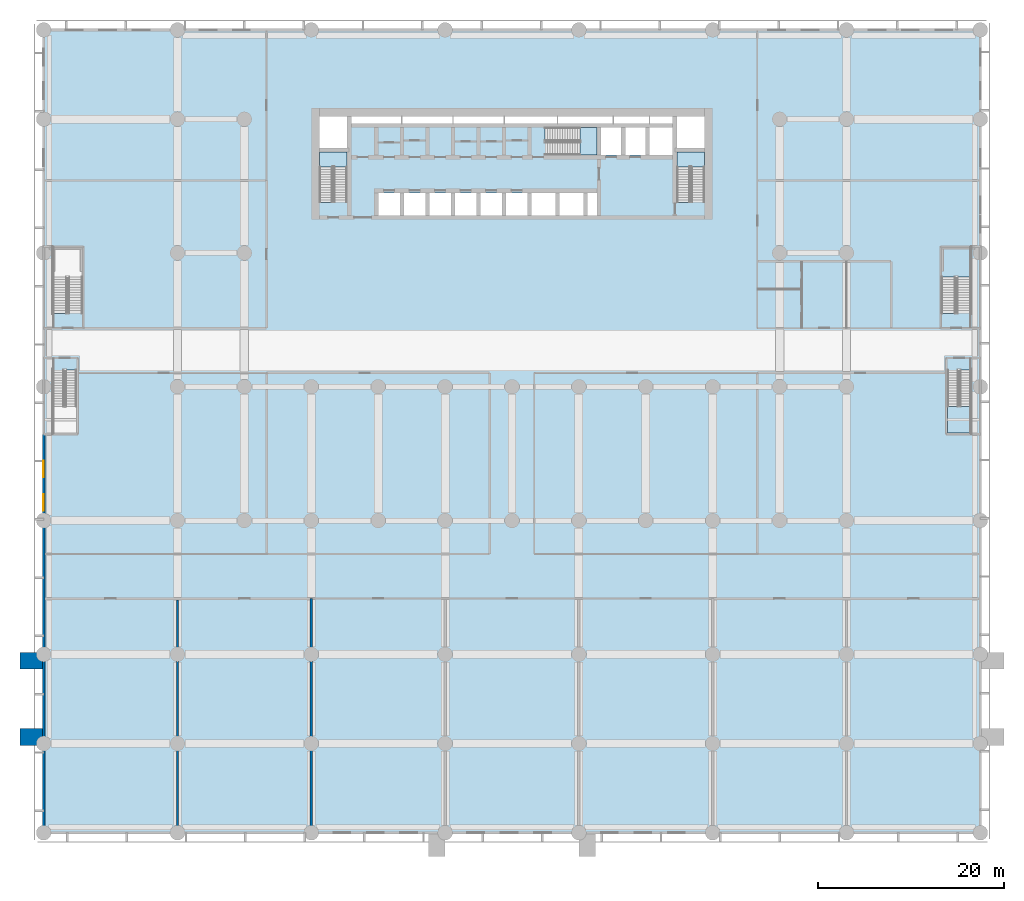
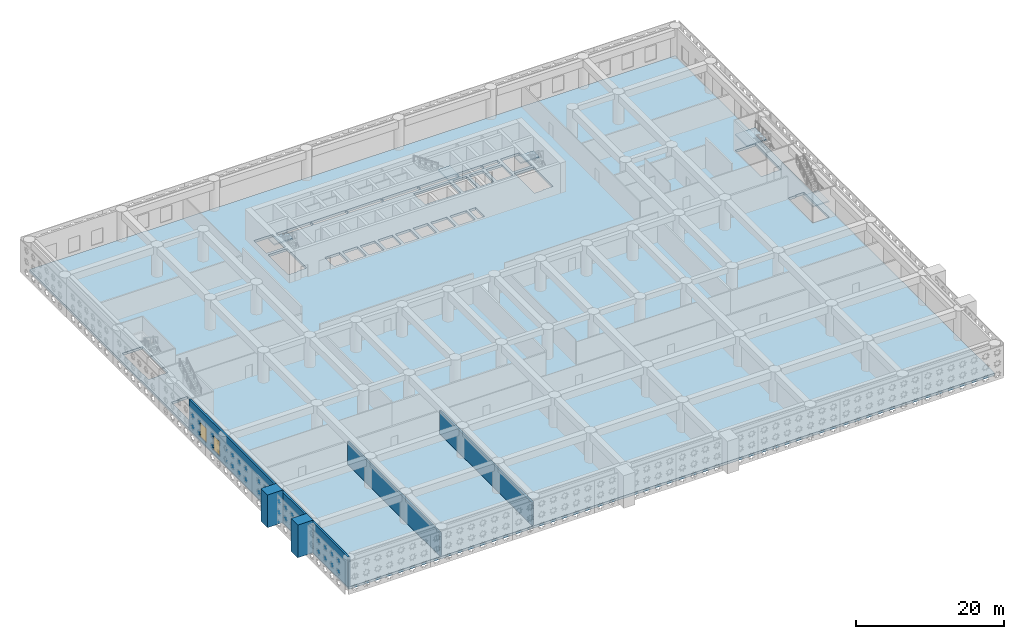
# One storey, part 2 of 30: 6 slabs, 5 walls, 2 windows, 2 openings, 5 elements without a shape of their own.
"""IFC4 building model written with IfcOpenShell, lengths in metres."""

from ifc_helpers import new_model, si_unit, direction, frame, frame_2d, origin, place, context, subcontext, project, spatial, polyline, rectangle, outline, extrude, material, layer, layer_set, type_object, element, fill, aggregate, save


model = new_model("IFC4")

# Units and contexts
model_context = context("Model", 3, precision=1e-05, world=origin(), true_north=direction((0.0, 1.0)))
body_context = subcontext(model_context, "Body", "Model", "MODEL_VIEW")
ifc_project = project(units=[si_unit("LENGTHUNIT", "METRE"), si_unit("AREAUNIT", "SQUARE_METRE"), si_unit("VOLUMEUNIT", "CUBIC_METRE"), si_unit("PLANEANGLEUNIT", "RADIAN"), si_unit("MASSUNIT", "GRAM", prefix="KILO")], contexts=[model_context])

# Site, building, storey
site_placement = place(None, origin())
site = spatial("IfcSite", under=ifc_project, at=site_placement, CompositionType="ELEMENT")
building_placement = place(site_placement, origin())
building = spatial("IfcBuilding", under=site, at=building_placement, Name="Saffron Iwan Residences", CompositionType="ELEMENT")
storey_placement = place(building_placement, frame((0.0, 0.0, 7.800048828125)))
storey = spatial("IfcBuildingStorey", under=building, at=storey_placement, Name="L01", CompositionType="ELEMENT", Elevation=7.800048828125)

# Slab
ifc_material_1 = material(Name="Concrete C40/50", Category="concrete")
ifc_layer_1 = layer(ifc_material_1, 0.39990234375)
ifc_layer_set_1 = layer_set([ifc_layer_1], Name="Concrete C40/50")
slab_type_1 = type_object("IfcSlabType", Name="PT PLATE 400 C40/50", PredefinedType="FLOOR", material=ifc_layer_set_1)
slab_1_placement = place(storey_placement, frame((0.0, 0.0, -0.400146484375)))
element("IfcSlab", 1, at=slab_1_placement, inside=storey, type_object=slab_type_1, Name="Floor slab L01", PredefinedType="FLOOR", context=body_context, shape_type="SweptSolid", body=[
    extrude(outline(polyline([(0.0, 0.0), (0.0, 86.39990234375), (100.800048828125, 86.39990234375), (100.800048828125, 0.0), (0.0, 0.0)]), holes=[polyline([(2.199951171875, 49.699951171875), (1.0, 49.699951171875), (1.0, 43.0), (3.550048828125, 43.0), (3.550048828125, 49.799560546875), (2.199951171875, 49.799560546875), (2.199951171875, 49.699951171875)]), polyline([(2.64990234375, 55.900390625), (2.64990234375, 56.0), (4.14990234375, 56.0), (4.14990234375, 63.0), (1.0, 63.0), (1.0, 55.900390625), (2.64990234375, 55.900390625)]), polyline([(38.324951171875, 66.449951171875), (38.324951171875, 68.875), (36.02490234375, 68.875), (36.02490234375, 66.449951171875), (38.324951171875, 66.449951171875)]), polyline([(41.074951171875, 66.449951171875), (41.074951171875, 68.875), (38.77490234375, 68.875), (38.77490234375, 66.449951171875), (41.074951171875, 66.449951171875)]), polyline([(43.824951171875, 66.449951171875), (43.824951171875, 68.875), (41.52490234375, 68.875), (41.52490234375, 66.449951171875), (43.824951171875, 66.449951171875)]), polyline([(46.574951171875, 66.449951171875), (46.574951171875, 68.875), (44.27490234375, 68.875), (44.27490234375, 66.449951171875), (46.574951171875, 66.449951171875)]), polyline([(49.324951171875, 66.449951171875), (49.324951171875, 68.875), (47.02490234375, 68.875), (47.02490234375, 66.449951171875), (49.324951171875, 66.449951171875)]), polyline([(52.074951171875, 68.875), (49.77490234375, 68.875), (49.77490234375, 66.449951171875), (52.074951171875, 66.449951171875), (52.074951171875, 68.875)]), polyline([(32.64990234375, 73.25), (29.699951171875, 73.25), (29.699951171875, 67.949951171875), (29.699951171875, 67.8505859375), (31.10009765625, 67.8505859375), (31.10009765625, 67.949951171875), (32.64990234375, 67.949951171875), (32.64990234375, 73.25)]), polyline([(32.64990234375, 73.699951171875), (32.64990234375, 77.10009765625), (29.699951171875, 77.10009765625), (29.699951171875, 73.699951171875), (32.64990234375, 73.699951171875)]), polyline([(38.5, 76.324951171875), (38.5, 77.10009765625), (33.10009765625, 77.10009765625), (33.10009765625, 76.324951171875), (38.5, 76.324951171875)]), polyline([(44.0, 76.324951171875), (44.0, 77.10009765625), (38.60009765625, 77.10009765625), (38.60009765625, 76.324951171875), (44.0, 76.324951171875)]), polyline([(49.5, 76.324951171875), (49.5, 77.10009765625), (44.10009765625, 77.10009765625), (44.10009765625, 76.324951171875), (49.5, 76.324951171875)]), polyline([(55.25, 76.324951171875), (55.25, 77.10009765625), (49.60009765625, 77.10009765625), (49.60009765625, 76.324951171875), (55.25, 76.324951171875)]), polyline([(98.449951171875, 49.699951171875), (97.25, 49.699951171875), (97.25, 43.0), (99.800048828125, 43.0), (99.800048828125, 49.799560546875), (98.449951171875, 49.799560546875), (98.449951171875, 49.699951171875)]), polyline([(98.300048828125, 55.900390625), (98.300048828125, 56.0), (99.800048828125, 56.0), (99.800048828125, 63.0), (96.64990234375, 63.0), (96.64990234375, 55.900390625), (98.300048828125, 55.900390625)]), polyline([(55.074951171875, 66.449951171875), (55.074951171875, 68.875), (52.52490234375, 68.875), (52.52490234375, 66.449951171875), (55.074951171875, 66.449951171875)]), polyline([(58.074951171875, 66.449951171875), (58.074951171875, 68.875), (55.52490234375, 68.875), (55.52490234375, 66.449951171875), (58.074951171875, 66.449951171875)]), polyline([(59.550048828125, 66.449951171875), (59.550048828125, 68.875), (58.52490234375, 68.875), (58.52490234375, 66.449951171875), (59.550048828125, 66.449951171875)]), polyline([(71.10009765625, 73.25), (68.14990234375, 73.25), (68.14990234375, 67.949951171875), (68.14990234375, 67.8505859375), (69.550048828125, 67.8505859375), (69.550048828125, 67.949951171875), (71.10009765625, 67.949951171875), (71.10009765625, 73.25)]), polyline([(53.925537109375, 74.47509765625), (54.02490234375, 74.47509765625), (54.02490234375, 72.925048828125), (59.550048828125, 72.925048828125), (59.550048828125, 75.875), (54.02490234375, 75.875), (53.925537109375, 75.875), (53.925537109375, 74.47509765625)]), polyline([(62.14990234375, 75.875), (60.0, 75.875), (60.0, 72.925048828125), (62.14990234375, 72.925048828125), (62.14990234375, 75.875)]), polyline([(64.75, 72.925048828125), (64.75, 75.875), (62.60009765625, 75.875), (62.60009765625, 72.925048828125), (64.75, 72.925048828125)]), polyline([(67.699951171875, 72.925048828125), (67.699951171875, 75.875), (65.199951171875, 75.875), (65.199951171875, 72.925048828125), (67.699951171875, 72.925048828125)]), polyline([(71.10009765625, 73.699951171875), (71.10009765625, 77.10009765625), (68.14990234375, 77.10009765625), (68.14990234375, 73.699951171875), (71.10009765625, 73.699951171875)]), polyline([(61.25, 76.324951171875), (61.25, 77.10009765625), (55.35009765625, 77.10009765625), (55.35009765625, 76.324951171875), (61.25, 76.324951171875)]), polyline([(65.14990234375, 76.324951171875), (65.14990234375, 77.10009765625), (61.35009765625, 77.10009765625), (61.35009765625, 76.324951171875), (65.14990234375, 76.324951171875)]), polyline([(67.699951171875, 76.324951171875), (67.699951171875, 77.10009765625), (65.25, 77.10009765625), (65.25, 76.324951171875), (67.699951171875, 76.324951171875)])]), origin(), (0.0, 0.0, 1.0), 0.400146484375),
])

# Stair, slab
stair_type_1 = type_object("IfcStairType", Name="Podium stair, reinforced concrete", PredefinedType="HALF_TURN_STAIR", material=ifc_material_1)
stair_1_placement = place(storey_placement, origin())
stair_1 = element("IfcStair", 2, at=stair_1_placement, inside=storey, type_object=stair_type_1, Name="L01 Podium Stair 2", PredefinedType="HALF_TURN_STAIR")
ifc_layer_2 = layer(ifc_material_1, 0.199951171875)
ifc_layer_set_2 = layer_set([ifc_layer_2], Name="Concrete C40/50")
slab_type_2 = type_object("IfcSlabType", Name="Podium stair landing, reinforced concrete", PredefinedType="LANDING", material=ifc_layer_set_2)
slab_2_placement = place(storey_placement, frame((0.0, 0.0, 2.499755859375)))
slab_2 = element("IfcSlab", 3, at=slab_2_placement, type_object=slab_type_2, Name="PS2 landing 1", PredefinedType="LANDING", context=body_context, shape_type="SweptSolid", body=[
    extrude(outline(polyline([(97.25, 45.8798828125), (97.25, 43.0), (99.800048828125, 43.0), (99.800048828125, 45.8798828125), (97.25, 45.8798828125)])), origin(), (0.0, 0.0, 1.0), 0.2001953125),
])
aggregate(stair_1, [slab_2])

stair_2_placement = place(storey_placement, origin())
stair_2 = element("IfcStair", 4, at=stair_2_placement, inside=storey, type_object=stair_type_1, Name="L01 Podium Stair 4", PredefinedType="HALF_TURN_STAIR")
slab_3_placement = place(storey_placement, frame((0.0, 0.0, 2.499755859375)))
slab_3 = element("IfcSlab", 5, at=slab_3_placement, type_object=slab_type_2, Name="PS4 landing 1", PredefinedType="LANDING", context=body_context, shape_type="SweptSolid", body=[
    extrude(outline(polyline([(99.800048828125, 59.820068359375), (99.800048828125, 63.0), (96.64990234375, 63.0), (96.64990234375, 59.820068359375), (99.800048828125, 59.820068359375)])), origin(), (0.0, 0.0, 1.0), 0.2001953125),
])
aggregate(stair_2, [slab_3])

ifc_material_2 = material(Name="Concrete C50/60", Category="concrete")
stair_type_2 = type_object("IfcStairType", Name="Stair ST-CORE", PredefinedType="HALF_TURN_STAIR", material=ifc_material_2)
stair_3_placement = place(storey_placement, origin())
stair_3 = element("IfcStair", 6, at=stair_3_placement, inside=storey, type_object=stair_type_2, Name="L01 Exit Stair ST-W", PredefinedType="HALF_TURN_STAIR")
ifc_layer_3 = layer(ifc_material_2, 0.199951171875)
ifc_layer_set_3 = layer_set([ifc_layer_3], Name="Concrete C50/60")
slab_type_3 = type_object("IfcSlabType", Name="Stair landing SL-RC", PredefinedType="LANDING", material=ifc_layer_set_3)
slab_4_placement = place(storey_placement, frame((0.0, 0.0, 2.499755859375)))
slab_4 = element("IfcSlab", 7, at=slab_4_placement, type_object=slab_type_3, Name="ST-W landing 1", PredefinedType="LANDING", context=body_context, shape_type="SweptSolid", body=[
    extrude(outline(polyline([(32.64990234375, 71.6298828125), (32.64990234375, 73.25), (29.699951171875, 73.25), (29.699951171875, 71.6298828125), (32.64990234375, 71.6298828125)])), origin(), (0.0, 0.0, 1.0), 0.2001953125),
])
aggregate(stair_3, [slab_4])

stair_4_placement = place(storey_placement, origin())
stair_4 = element("IfcStair", 8, at=stair_4_placement, inside=storey, type_object=stair_type_2, Name="L01 Exit Stair ST-C", PredefinedType="HALF_TURN_STAIR")
slab_5_placement = place(storey_placement, frame((0.0, 0.0, 2.499755859375)))
slab_5 = element("IfcSlab", 9, at=slab_5_placement, type_object=slab_type_3, Name="ST-C landing 1", PredefinedType="LANDING", context=body_context, shape_type="SweptSolid", body=[
    extrude(outline(polyline([(57.705078125, 72.925048828125), (59.550048828125, 72.925048828125), (59.550048828125, 75.875), (57.705078125, 75.875), (57.705078125, 72.925048828125)])), origin(), (0.0, 0.0, 1.0), 0.2001953125),
])
aggregate(stair_4, [slab_5])

stair_5_placement = place(storey_placement, origin())
stair_5 = element("IfcStair", 10, at=stair_5_placement, inside=storey, type_object=stair_type_2, Name="L01 Exit Stair ST-E", PredefinedType="HALF_TURN_STAIR")
slab_6_placement = place(storey_placement, frame((0.0, 0.0, 2.499755859375)))
slab_6 = element("IfcSlab", 11, at=slab_6_placement, type_object=slab_type_3, Name="ST-E landing 1", PredefinedType="LANDING", context=body_context, shape_type="SweptSolid", body=[
    extrude(outline(polyline([(71.10009765625, 71.6298828125), (71.10009765625, 73.25), (68.14990234375, 73.25), (68.14990234375, 71.6298828125), (71.10009765625, 71.6298828125)])), origin(), (0.0, 0.0, 1.0), 0.2001953125),
])
aggregate(stair_5, [slab_6])

# Walls
ifc_layer_4 = layer(ifc_material_1, 0.25)
ifc_layer_set_4 = layer_set([ifc_layer_4], Name="Concrete C40/50")
wall_type_1 = type_object("IfcWallType", Name="Fire compartment wall 250", PredefinedType="SOLIDWALL", material=ifc_layer_set_4)
wall_1_placement = place(storey_placement, frame((14.39990234375, 0.14990234375, 0.0), z_axis=(0.0, 0.0, 1.0), x_axis=(0.0, 1.0, 0.0)))
element("IfcWall", 12, at=wall_1_placement, inside=storey, type_object=wall_type_1, Name="W-L01-035", PredefinedType="SOLIDWALL", context=body_context, shape_type="SweptSolid", body=[
    extrude(rectangle(XDim=24.925048828125, YDim=0.25, at=frame_2d((12.46240234375, 0.0))), origin(), (0.0, 0.0, 1.0), 3.800048828125),
])
wall_2_placement = place(storey_placement, frame((28.800048828125, 0.14990234375, 0.0), z_axis=(0.0, 0.0, 1.0), x_axis=(0.0, 1.0, 0.0)))
element("IfcWall", 13, at=wall_2_placement, inside=storey, type_object=wall_type_1, Name="W-L01-039", PredefinedType="SOLIDWALL", context=body_context, shape_type="SweptSolid", body=[
    extrude(rectangle(XDim=25.050048828125, YDim=0.25, at=frame_2d((12.52490234375, 0.0))), origin(), (0.0, 0.0, 1.0), 3.800048828125),
])

# Wall, openings, windows
ifc_material_3 = material(Name="Precast concrete C40/50", Category="concrete")
ifc_layer_5 = layer(ifc_material_3, 0.300048828125)
ifc_layer_set_5 = layer_set([ifc_layer_5], Name="Precast concrete C40/50")
wall_type_2 = type_object("IfcWallType", Name="Podium external wall 300", PredefinedType="SOLIDWALL", material=ifc_layer_set_5)
wall_3_placement = place(storey_placement, frame((0.0, 0.0, 0.0), z_axis=(0.0, 0.0, 1.0), x_axis=(0.0, 1.0, 0.0)))
wall_3 = element("IfcWall", 14, at=wall_3_placement, inside=storey, type_object=wall_type_2, Name="W-L01-028", PredefinedType="SOLIDWALL", context=body_context, shape_type="SweptSolid", body=[
    extrude(rectangle(XDim=42.89990234375, YDim=0.300048828125, at=frame_2d((21.449951171875, 0.0))), origin(), (0.0, 0.0, 1.0), 5.0),
])
opening_1_placement = place(wall_3_placement, frame((34.64990234375, 0.0, 0.60009765625)))
opening_1 = element("IfcOpeningElement", 15, at=opening_1_placement, cuts=wall_3, Name="Opening W7", PredefinedType="OPENING", context=body_context, shape_type="SweptSolid", body=[
    extrude(rectangle(XDim=1.800048828125, YDim=2.39990234375, at=frame_2d((0.89990234375, 1.199951171875))), frame((0.0, 0.16015625, 0.0), z_axis=(0.0, -1.0, 0.0), x_axis=(1.0, 0.0, 0.0)), (0.0, 0.0, 1.0), 0.320068359375),
])
opening_2_placement = place(wall_3_placement, frame((38.25, 0.0, 0.60009765625)))
opening_2 = element("IfcOpeningElement", 16, at=opening_2_placement, cuts=wall_3, Name="Opening W7", PredefinedType="OPENING", context=body_context, shape_type="SweptSolid", body=[
    extrude(rectangle(XDim=1.800048828125, YDim=2.39990234375, at=frame_2d((0.89990234375, 1.199951171875))), frame((0.0, 0.16015625, 0.0), z_axis=(0.0, -1.0, 0.0), x_axis=(1.0, 0.0, 0.0)), (0.0, 0.0, 1.0), 0.320068359375),
])
ifc_material_4 = material(Name="Clear glass, laminated double glazed", Category="glass")
window_type = type_object("IfcWindowType", Name="WINDOW 1800 x 2400 PODIUM", PartitioningType="DOUBLE_PANEL_VERTICAL", PredefinedType="WINDOW", material=ifc_material_4)
window_1_placement = place(opening_1_placement, origin())
window_1 = element("IfcWindow", 17, at=window_1_placement, inside=storey, type_object=window_type, Name="Window L01 W-L01-028.0", OverallHeight=2.39990234375, OverallWidth=1.800048828125, PartitioningType="DOUBLE_PANEL_VERTICAL", PredefinedType="WINDOW", context=body_context, shape_type="SweptSolid", body=[
    extrude(rectangle(XDim=1.800048828125, YDim=2.39990234375, at=frame_2d((0.89990234375, 1.199951171875))), frame((0.0, 0.030029296875, 0.0), z_axis=(0.0, -1.0, 0.0), x_axis=(1.0, 0.0, 0.0)), (0.0, 0.0, 1.0), 0.06005859375),
])
fill(opening_1, window_1)
window_2_placement = place(opening_2_placement, origin())
window_2 = element("IfcWindow", 18, at=window_2_placement, inside=storey, type_object=window_type, Name="Window L01 W-L01-028.1", OverallHeight=2.39990234375, OverallWidth=1.800048828125, PartitioningType="DOUBLE_PANEL_VERTICAL", PredefinedType="WINDOW", context=body_context, shape_type="SweptSolid", body=[
    extrude(rectangle(XDim=1.800048828125, YDim=2.39990234375, at=frame_2d((0.89990234375, 1.199951171875))), frame((0.0, 0.030029296875, 0.0), z_axis=(0.0, -1.0, 0.0), x_axis=(1.0, 0.0, 0.0)), (0.0, 0.0, 1.0), 0.06005859375),
])
fill(opening_2, window_2)

# Walls
ifc_material_5 = material(Name="Terracotta coloured precast concrete C40/50", Category="masonry")
ifc_layer_6 = layer(ifc_material_5, 1.800048828125)
ifc_layer_set_6 = layer_set([ifc_layer_6], Name="Terracotta coloured precast concrete C40/50")
wall_type_3 = type_object("IfcWallType", Name="Portal pier, precast concrete 1800", PredefinedType="SOLIDWALL", material=ifc_layer_set_6)
for number, where, z_axis, x_axis, name in (
    (19, (-2.550048828125, 10.300048828125, 0.0), (0.0, 0.0, 1.0), (1.0, 0.0, 0.0), "Portal pier W end S L01"),
    (20, (-2.550048828125, 18.5, 0.0), (0.0, 0.0, 1.0), (1.0, 0.0, 0.0), "Portal pier W end N L01"),
):
    element("IfcWall", number, at=place(storey_placement, frame(where, z_axis=z_axis, x_axis=x_axis)), inside=storey, type_object=wall_type_3, Name=name, PredefinedType="SOLIDWALL", context=body_context, shape_type="SweptSolid", body=[
        extrude(rectangle(XDim=2.400146484375, YDim=1.800048828125, at=frame_2d((1.2001953125, 0.0))), origin(), (0.0, 0.0, 1.0), 5.39990234375),
    ])

save(model, "model.ifc")
